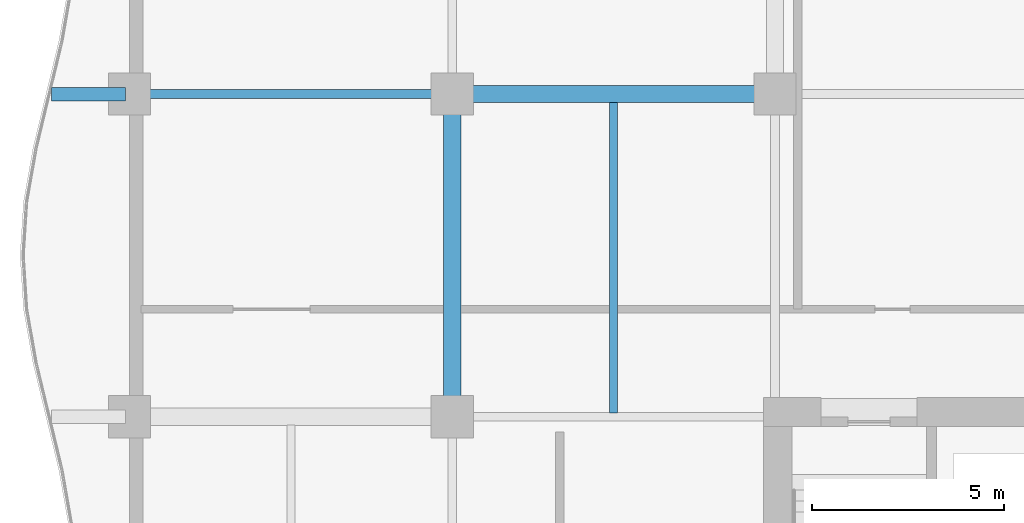
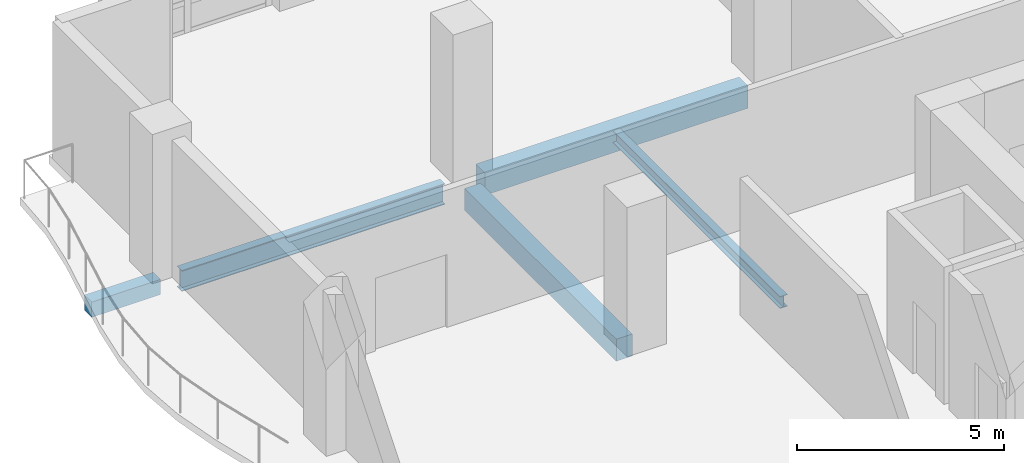
# One storey, part 8 of 25: 5 beams.
"""IFC4 building model written with IfcOpenShell, lengths in metres."""

from ifc_helpers import new_model, si_unit, direction, frame, origin, origin_2d, place, context, subcontext, project, spatial, rectangle, i_section, extrude, material, material_profile, profile_set, type_object, element, save


model = new_model("IFC4")

# Units and contexts
model_context = context("Model", 3, precision=1e-05, world=origin(), true_north=direction((0.0, 1.0)))
body_context = subcontext(model_context, "Body", "Model", "MODEL_VIEW")
ifc_project = project(units=[si_unit("LENGTHUNIT", "METRE"), si_unit("AREAUNIT", "SQUARE_METRE"), si_unit("VOLUMEUNIT", "CUBIC_METRE"), si_unit("PLANEANGLEUNIT", "RADIAN"), si_unit("MASSUNIT", "GRAM", prefix="KILO")], contexts=[model_context])

# Site, building, storey
site_placement = place(None, origin())
site = spatial("IfcSite", under=ifc_project, at=site_placement, CompositionType="ELEMENT")
building_placement = place(site_placement, origin())
building = spatial("IfcBuilding", under=site, at=building_placement, Name="Koriwani Terraces Tower", CompositionType="ELEMENT")
storey_placement = place(building_placement, frame((0.0, 0.0, 157.60009765625)))
storey = spatial("IfcBuildingStorey", under=building, at=storey_placement, Name="L38", CompositionType="ELEMENT", Elevation=157.60009765625)

# Beams
ifc_material_1 = material(Name="Concrete C40/50", Category="concrete")
ifc_material_profile_1 = material_profile(ifc_material_1, rectangle(XDim=0.35009765625, YDim=0.449951171875, at=origin_2d()), Name="Concrete C40/50", Category="LoadBearing")
ifc_profile_set_1 = profile_set([ifc_material_profile_1], Name="Concrete C40/50")
beam_type_1 = type_object("IfcBeamType", Name="BEAM_RC_BALCONY_RIB_350X450", PredefinedType="JOIST", material=ifc_profile_set_1)
beam_1_placement = place(storey_placement, frame((-2.02490234375, 67.199951171875, -0.47509765625), z_axis=(1.0, 0.0, 0.0), x_axis=(0.0, 1.0, 0.0)))
element("IfcBeam", 1, at=beam_1_placement, inside=storey, type_object=beam_type_1, Name="L38 Balcony Bracket Rib W-4", PredefinedType="JOIST", context=body_context, shape_type="SweptSolid", body=[
    extrude(rectangle(XDim=0.35009765625, YDim=0.449951171875, at=origin_2d()), origin(), (0.0, 0.0, 1.0), 1.9248046875),
])
ifc_material_2 = material(Name="Concrete C50/60", Category="concrete")
ifc_material_profile_2 = material_profile(ifc_material_2, rectangle(XDim=0.449951171875, YDim=0.64990234375, at=origin_2d()), Name="Concrete C50/60", Category="LoadBearing")
ifc_profile_set_2 = profile_set([ifc_material_profile_2], Name="Concrete C50/60")
beam_type_2 = type_object("IfcBeamType", Name="BEAM_RC_GRID_450X650", PredefinedType="BEAM", material=ifc_profile_set_2)
beam_2_placement = place(storey_placement, frame((8.929931640625, 67.199951171875, -0.5751953125), z_axis=(1.0, 0.0, 0.0), x_axis=(0.0, 1.0, 0.0)))
element("IfcBeam", 2, at=beam_2_placement, inside=storey, type_object=beam_type_2, Name="L38 Grid Beam I (8.4-16.8m)", PredefinedType="BEAM", context=body_context, shape_type="SweptSolid", body=[
    extrude(rectangle(XDim=0.449951171875, YDim=0.64990234375, at=origin_2d()), origin(), (0.0, 0.0, 1.0), 7.340087890625),
])
beam_3_placement = place(storey_placement, frame((8.39990234375, 59.330078125, -0.5751953125), z_axis=(0.0, 1.0, 0.0), x_axis=(-1.0, 0.0, 0.0)))
element("IfcBeam", 3, at=beam_3_placement, inside=storey, type_object=beam_type_2, Name="L38 Grid Beam 2 (58.8-67.2m)", PredefinedType="BEAM", context=body_context, shape_type="SweptSolid", body=[
    extrude(rectangle(XDim=0.449951171875, YDim=0.64990234375, at=origin_2d()), origin(), (0.0, 0.0, 1.0), 7.33984375),
])
ifc_material_3 = material(Name="Steel ASTM A572 Grade 50", Category="steel")
ifc_material_profile_3 = material_profile(ifc_material_3, i_section(OverallWidth=0.205078125, OverallDepth=0.35400390625, WebThickness=0.009521484375, FlangeThickness=0.016845703125, at=origin_2d()), Name="Steel ASTM A572 Grade 50", Category="LoadBearing")
ifc_profile_set_3 = profile_set([ifc_material_profile_3], Name="Steel ASTM A572 Grade 50")
beam_type_3 = type_object("IfcBeamType", Name="STEEL_BEAM_W360X79", PredefinedType="JOIST", material=ifc_profile_set_3)
beam_4_placement = place(storey_placement, frame((12.60009765625, 58.905517578125, -0.427001953125), z_axis=(0.0, 1.0, 0.0), x_axis=(-1.0, 0.0, 0.0)))
element("IfcBeam", 4, at=beam_4_placement, inside=storey, type_object=beam_type_3, Name="L38 Secondary Steel Floor Joist X=12.6m", PredefinedType="JOIST", context=body_context, shape_type="SweptSolid", body=[
    extrude(i_section(OverallWidth=0.205078125, OverallDepth=0.35400390625, WebThickness=0.009521484375, FlangeThickness=0.016845703125, at=origin_2d()), origin(), (0.0, 0.0, 1.0), 8.07958984375),
])
ifc_material_profile_4 = material_profile(ifc_material_3, i_section(OverallWidth=0.23095703125, OverallDepth=0.616943359375, WebThickness=0.015380859375, FlangeThickness=0.0244140625, at=origin_2d()), Name="Steel ASTM A572 Grade 50", Category="LoadBearing")
ifc_profile_set_4 = profile_set([ifc_material_profile_4], Name="Steel ASTM A572 Grade 50")
beam_type_4 = type_object("IfcBeamType", Name="STEEL_BEAM_W610X195", PredefinedType="BEAM", material=ifc_profile_set_4)
beam_5_placement = place(storey_placement, frame((0.530029296875, 67.199951171875, -0.55859375), z_axis=(1.0, 0.0, 0.0), x_axis=(0.0, 1.0, 0.0)))
element("IfcBeam", 5, at=beam_5_placement, inside=storey, type_object=beam_type_4, Name="L38 Grid Beam I (0.0-8.4m)", PredefinedType="BEAM", context=body_context, shape_type="SweptSolid", body=[
    extrude(i_section(OverallWidth=0.23095703125, OverallDepth=0.616943359375, WebThickness=0.015380859375, FlangeThickness=0.0244140625, at=origin_2d()), origin(), (0.0, 0.0, 1.0), 7.340087890625),
])

save(model, "model.ifc")
